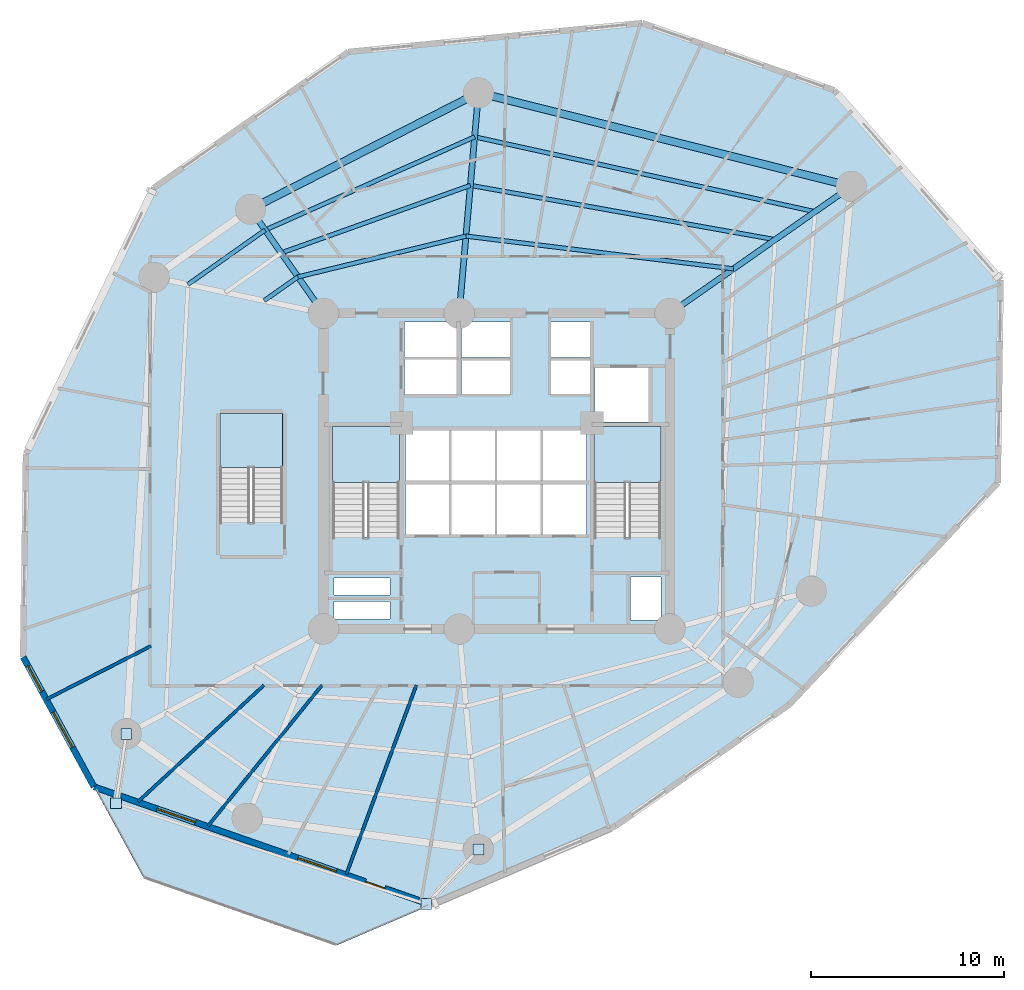
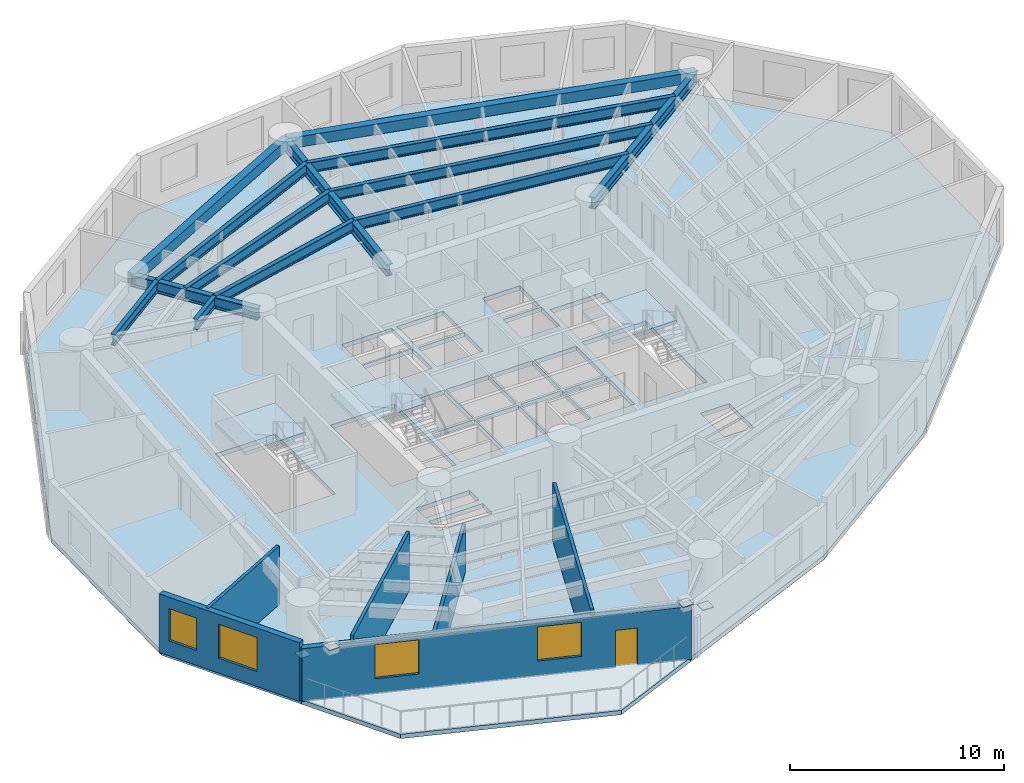
# One storey, part 2 of 11: 13 beams, 6 walls, 5 slabs, 4 plates, 4 windows, 1 door, 5 openings, 3 elements without a shape of their own.
"""IFC4 building model written with IfcOpenShell, lengths in metres."""

from ifc_helpers import new_model, si_unit, direction, frame, frame_2d, origin, origin_with_axes, origin_2d, place, context, subcontext, project, spatial, polyline, rectangle, i_section, outline, extrude, source, transform, mapped, material, layer, layer_set, material_profile, profile_set, type_object, element, fill, aggregate, save


model = new_model("IFC4")

# Units and contexts
model_context = context("Model", 3, precision=1e-05, world=origin(), true_north=direction((0.0, 1.0)))
body_context = subcontext(model_context, "Body", "Model", "MODEL_VIEW")
ifc_project = project(units=[si_unit("LENGTHUNIT", "METRE"), si_unit("AREAUNIT", "SQUARE_METRE"), si_unit("VOLUMEUNIT", "CUBIC_METRE"), si_unit("PLANEANGLEUNIT", "RADIAN"), si_unit("MASSUNIT", "GRAM", prefix="KILO")], contexts=[model_context])

# Site, building, storey
site_placement = place(None, origin())
site = spatial("IfcSite", under=ifc_project, at=site_placement, CompositionType="ELEMENT")
building_placement = place(site_placement, origin())
building = spatial("IfcBuilding", under=site, at=building_placement, Name="Karkom Vertical University and Central Library", CompositionType="ELEMENT")
storey_placement = place(building_placement, frame((0.0, 0.0, 44.5)))
storey = spatial("IfcBuildingStorey", under=building, at=storey_placement, Name="L11", CompositionType="ELEMENT", Elevation=44.5)

# Beams
ifc_material_1 = material(Name="Steel S355", Category="steel")
ifc_material_profile_1 = material_profile(ifc_material_1, i_section(OverallWidth=0.300048828125, OverallDepth=0.64990234375, WebThickness=0.01611328125, FlangeThickness=0.031005859375, FilletRadius=0.027099609375, at=origin_2d()), Name="HE 650 B")
ifc_profile_set_1 = profile_set([ifc_material_profile_1], Name="Steel S355")
beam_type_1 = type_object("IfcBeamType", Name="STR-BM-SB-HE650", PredefinedType="USERDEFINED", material=ifc_profile_set_1)
shared_shape_1 = source(origin_with_axes(), body_context, "Body", "SweptSolid", [
    extrude(i_section(OverallWidth=0.300048828125, OverallDepth=0.64990234375, WebThickness=0.01611328125, FlangeThickness=0.031005859375, FilletRadius=0.027099609375, at=origin_2d()), origin(), (0.0, 0.0, 1.0), 11.49951171875),
])
beam_1_placement = place(storey_placement, frame((37.5, 34.699951171875, 3.02490234375), z_axis=(0.81915012564, 0.573579176457, 0.0), x_axis=(-0.573579176457, 0.81915012564, 0.0)))
element("IfcBeam", 1, at=beam_1_placement, inside=storey, type_object=beam_type_1, Name="Level 11 Radial Frame Girder 02", ObjectType="GIRDER", PredefinedType="USERDEFINED", context=body_context, shape_type="MappedRepresentation", body=[
    mapped(shared_shape_1, transform((0.0, 0.0, 0.0), scale=1.0)),
])
shared_shape_2 = source(origin_with_axes(), body_context, "Body", "SweptSolid", [
    extrude(i_section(OverallWidth=0.300048828125, OverallDepth=0.64990234375, WebThickness=0.01611328125, FlangeThickness=0.031005859375, FilletRadius=0.027099609375, at=origin_2d()), origin(), (0.0, 0.0, 1.0), 11.499755859375),
])
beam_2_placement = place(storey_placement, frame((26.550048828125, 34.699951171875, 3.02490234375), z_axis=(0.087127973109, 0.99619712723, 0.0), x_axis=(-0.99619712723, 0.087127973109, 0.0)))
element("IfcBeam", 2, at=beam_2_placement, inside=storey, type_object=beam_type_1, Name="Level 11 Radial Frame Girder 03", ObjectType="GIRDER", PredefinedType="USERDEFINED", context=body_context, shape_type="MappedRepresentation", body=[
    mapped(shared_shape_2, transform((0.0, 0.0, 0.0), scale=1.0)),
])
shared_shape_3 = source(origin_with_axes(), body_context, "Body", "SweptSolid", [
    extrude(i_section(OverallWidth=0.300048828125, OverallDepth=0.64990234375, WebThickness=0.01611328125, FlangeThickness=0.031005859375, FilletRadius=0.027099609375, at=origin_2d()), origin(), (0.0, 0.0, 1.0), 6.599853515625),
])
beam_3_placement = place(storey_placement, frame((19.5, 34.699951171875, 3.02490234375), z_axis=(-0.573633636671, 0.819111989218, 0.0), x_axis=(-0.819111989218, -0.573633636671, 0.0)))
element("IfcBeam", 3, at=beam_3_placement, inside=storey, type_object=beam_type_1, Name="Level 11 Radial Frame Girder 04", ObjectType="GIRDER", PredefinedType="USERDEFINED", context=body_context, shape_type="MappedRepresentation", body=[
    mapped(shared_shape_3, transform((0.0, 0.0, 0.0), scale=1.0)),
])
ifc_material_2 = material(Name="Precast concrete C45/55", Category="concrete")
ifc_material_profile_2 = material_profile(ifc_material_2, rectangle(XDim=0.39990234375, YDim=0.60009765625, at=origin_2d()), Name="SPB-400x600")
ifc_profile_set_2 = profile_set([ifc_material_profile_2], Name="Precast concrete C45/55")
beam_type_2 = type_object("IfcBeamType", Name="STR-BM-SP-1", PredefinedType="SPANDREL", material=ifc_profile_set_2)
shared_shape_4 = source(origin_with_axes(), body_context, "Body", "SweptSolid", [
    extrude(rectangle(XDim=0.39990234375, YDim=0.60009765625, at=origin_2d()), origin(), (0.0, 0.0, 1.0), 19.968505859375),
])
beam_4_placement = place(storey_placement, frame((46.919921875, 41.2958984375, 3.050048828125), z_axis=(-0.969928522391, 0.243389937039, 0.0), x_axis=(-0.243389937039, -0.969928522391, 0.0)))
element("IfcBeam", 4, at=beam_4_placement, inside=storey, type_object=beam_type_2, Name="Level 11 Perimeter Spandrel Beam 02", PredefinedType="SPANDREL", context=body_context, shape_type="MappedRepresentation", body=[
    mapped(shared_shape_4, transform((0.0, 0.0, 0.0), scale=1.0)),
])
shared_shape_5 = source(origin_with_axes(), body_context, "Body", "SweptSolid", [
    extrude(rectangle(XDim=0.39990234375, YDim=0.60009765625, at=origin_2d()), origin(), (0.0, 0.0, 1.0), 13.29443359375),
])
beam_5_placement = place(storey_placement, frame((27.552001953125, 46.156005859375, 3.050048828125), z_axis=(-0.890447746793, -0.455085497716, 0.0), x_axis=(0.455085497716, -0.890447746793, 0.0)))
element("IfcBeam", 5, at=beam_5_placement, inside=storey, type_object=beam_type_2, Name="Level 11 Perimeter Spandrel Beam 03", PredefinedType="SPANDREL", context=body_context, shape_type="MappedRepresentation", body=[
    mapped(shared_shape_5, transform((0.0, 0.0, 0.0), scale=1.0)),
])
ifc_material_profile_3 = material_profile(ifc_material_1, i_section(OverallWidth=0.219970703125, OverallDepth=0.60009765625, WebThickness=0.011962890625, FlangeThickness=0.01904296875, FilletRadius=0.02392578125, at=origin_2d()), Name="IPE 600")
ifc_profile_set_3 = profile_set([ifc_material_profile_3], Name="Steel S355")
beam_type_3 = type_object("IfcBeamType", Name="STR-BM-SB-IPE600", PredefinedType="BEAM", material=ifc_profile_set_3)
shared_shape_6 = source(origin_with_axes(), body_context, "Body", "SweptSolid", [
    extrude(i_section(OverallWidth=0.219970703125, OverallDepth=0.60009765625, WebThickness=0.011962890625, FlangeThickness=0.01904296875, FilletRadius=0.02392578125, at=origin_2d()), origin(), (0.0, 0.0, 1.0), 14.000244140625),
])
beam_6_placement = place(storey_placement, frame((40.797119140625, 37.008544921875, 3.050048828125), z_axis=(-0.992590166403, 0.121510335198, 0.0), x_axis=(-0.121510335198, -0.992590166403, 0.0)))
element("IfcBeam", 6, at=beam_6_placement, inside=storey, type_object=beam_type_3, Name="Level 11 Secondary Composite Floor Beam 1.02", PredefinedType="BEAM", context=body_context, shape_type="MappedRepresentation", body=[
    mapped(shared_shape_6, transform((0.0, 0.0, 0.0), scale=1.0)),
])
shared_shape_7 = source(origin_with_axes(), body_context, "Body", "SweptSolid", [
    extrude(i_section(OverallWidth=0.219970703125, OverallDepth=0.60009765625, WebThickness=0.011962890625, FlangeThickness=0.01904296875, FilletRadius=0.02392578125, at=origin_2d()), origin(), (0.0, 0.0, 1.0), 8.97900390625),
])
beam_7_placement = place(storey_placement, frame((26.900634765625, 38.709716796875, 3.050048828125), z_axis=(-0.971790837509, -0.235844372697, 0.0), x_axis=(0.235844372697, -0.971790837509, 0.0)))
element("IfcBeam", 7, at=beam_7_placement, inside=storey, type_object=beam_type_3, Name="Level 11 Secondary Composite Floor Beam 1.03", PredefinedType="BEAM", context=body_context, shape_type="MappedRepresentation", body=[
    mapped(shared_shape_7, transform((0.0, 0.0, 0.0), scale=1.0)),
])
shared_shape_8 = source(origin_with_axes(), body_context, "Body", "SweptSolid", [
    extrude(i_section(OverallWidth=0.219970703125, OverallDepth=0.60009765625, WebThickness=0.011962890625, FlangeThickness=0.01904296875, FilletRadius=0.02392578125, at=origin_2d()), origin(), (0.0, 0.0, 1.0), 2.14794921875),
])
beam_8_placement = place(storey_placement, frame((18.1748046875, 36.592041015625, 3.050048828125), z_axis=(-0.817433780971, -0.576022580918, 0.0), x_axis=(0.576022580918, -0.817433780971, 0.0)))
element("IfcBeam", 8, at=beam_8_placement, inside=storey, type_object=beam_type_3, Name="Level 11 Secondary Composite Floor Beam 1.04", PredefinedType="BEAM", context=body_context, shape_type="MappedRepresentation", body=[
    mapped(shared_shape_8, transform((0.0, 0.0, 0.0), scale=1.0)),
])
shared_shape_9 = source(origin_with_axes(), body_context, "Body", "SweptSolid", [
    extrude(i_section(OverallWidth=0.219970703125, OverallDepth=0.60009765625, WebThickness=0.011962890625, FlangeThickness=0.01904296875, FilletRadius=0.02392578125, at=origin_2d()), origin(), (0.0, 0.0, 1.0), 16.08154296875),
])
beam_9_placement = place(storey_placement, frame((42.963623046875, 38.525634765625, 3.050048828125), z_axis=(-0.984517708807, 0.175285142111, 0.0), x_axis=(-0.175285142111, -0.984517708807, 0.0)))
element("IfcBeam", 9, at=beam_9_placement, inside=storey, type_object=beam_type_3, Name="Level 11 Secondary Composite Floor Beam 2.02", PredefinedType="BEAM", context=body_context, shape_type="MappedRepresentation", body=[
    mapped(shared_shape_9, transform((0.0, 0.0, 0.0), scale=1.0)),
])
shared_shape_10 = source(origin_with_axes(), body_context, "Body", "SweptSolid", [
    extrude(i_section(OverallWidth=0.219970703125, OverallDepth=0.60009765625, WebThickness=0.011962890625, FlangeThickness=0.01904296875, FilletRadius=0.02392578125, at=origin_2d()), origin(), (0.0, 0.0, 1.0), 10.4345703125),
])
beam_10_placement = place(storey_placement, frame((27.131103515625, 41.344482421875, 3.050048828125), z_axis=(-0.941759378798, -0.336287484819, 0.0), x_axis=(0.336287484819, -0.941759378798, 0.0)))
element("IfcBeam", 10, at=beam_10_placement, inside=storey, type_object=beam_type_3, Name="Level 11 Secondary Composite Floor Beam 2.03", PredefinedType="BEAM", context=body_context, shape_type="MappedRepresentation", body=[
    mapped(shared_shape_10, transform((0.0, 0.0, 0.0), scale=1.0)),
])
shared_shape_11 = source(origin_with_axes(), body_context, "Body", "SweptSolid", [
    extrude(i_section(OverallWidth=0.219970703125, OverallDepth=0.60009765625, WebThickness=0.011962890625, FlangeThickness=0.01904296875, FilletRadius=0.02392578125, at=origin_2d()), origin(), (0.0, 0.0, 1.0), 18.106689453125),
])
beam_11_placement = place(storey_placement, frame((45.035888671875, 39.976806640625, 3.050048828125), z_axis=(-0.976674731786, 0.214724167926, 0.0), x_axis=(-0.214724167926, -0.976674731786, 0.0)))
element("IfcBeam", 11, at=beam_11_placement, inside=storey, type_object=beam_type_3, Name="Level 11 Secondary Composite Floor Beam 3.02", PredefinedType="BEAM", context=body_context, shape_type="MappedRepresentation", body=[
    mapped(shared_shape_11, transform((0.0, 0.0, 0.0), scale=1.0)),
])
shared_shape_12 = source(origin_with_axes(), body_context, "Body", "SweptSolid", [
    extrude(i_section(OverallWidth=0.219970703125, OverallDepth=0.60009765625, WebThickness=0.011962890625, FlangeThickness=0.01904296875, FilletRadius=0.02392578125, at=origin_2d()), origin(), (0.0, 0.0, 1.0), 11.908203125),
])
beam_12_placement = place(storey_placement, frame((27.3515625, 43.86474609375, 3.050048828125), z_axis=(-0.913682996781, -0.406427584441, 0.0), x_axis=(0.406427584441, -0.913682996781, 0.0)))
element("IfcBeam", 12, at=beam_12_placement, inside=storey, type_object=beam_type_3, Name="Level 11 Secondary Composite Floor Beam 3.03", PredefinedType="BEAM", context=body_context, shape_type="MappedRepresentation", body=[
    mapped(shared_shape_12, transform((0.0, 0.0, 0.0), scale=1.0)),
])
shared_shape_13 = source(origin_with_axes(), body_context, "Body", "SweptSolid", [
    extrude(i_section(OverallWidth=0.219970703125, OverallDepth=0.60009765625, WebThickness=0.011962890625, FlangeThickness=0.01904296875, FilletRadius=0.02392578125, at=origin_2d()), origin(), (0.0, 0.0, 1.0), 4.909912109375),
])
beam_13_placement = place(storey_placement, frame((16.47119140625, 39.02490234375, 3.050048828125), z_axis=(-0.817452635759, -0.575995823153, 0.0), x_axis=(0.575995823153, -0.817452635759, 0.0)))
element("IfcBeam", 13, at=beam_13_placement, inside=storey, type_object=beam_type_3, Name="Level 11 Secondary Composite Floor Beam 3.04", PredefinedType="BEAM", context=body_context, shape_type="MappedRepresentation", body=[
    mapped(shared_shape_13, transform((0.0, 0.0, 0.0), scale=1.0)),
])

# Stair, slab
ifc_material_3 = material(Name="Concrete C45/55", Category="concrete")
stair_type_1 = type_object("IfcStairType", Name="INT-STR-ST-MAIN", PredefinedType="HALF_TURN_STAIR", material=ifc_material_3)
stair_1_placement = place(storey_placement, origin())
stair_1 = element("IfcStair", 14, at=stair_1_placement, inside=storey, type_object=stair_type_1, Name="Level 11 Tower Protected Exit Stair ST-1", PredefinedType="HALF_TURN_STAIR")
ifc_layer_1 = layer(ifc_material_3, 0.199951171875)
ifc_layer_set_1 = layer_set([ifc_layer_1], Name="Concrete C45/55")
slab_type_1 = type_object("IfcSlabType", Name="INT-SLB-LANDING", PredefinedType="LANDING", material=ifc_layer_set_1)
slab_1_placement = place(storey_placement, frame((0.0, 0.0, 1.60009765625)))
slab_1 = element("IfcSlab", 15, at=slab_1_placement, type_object=slab_type_1, Name="ST-1 landing 1", PredefinedType="LANDING", context=body_context, shape_type="SweptSolid", body=[
    extrude(outline(polyline([(23.43994140625, 25.919921875), (23.43994140625, 28.820068359375), (19.97998046875, 28.820068359375), (19.97998046875, 25.919921875), (23.43994140625, 25.919921875)])), origin(), (0.0, 0.0, 1.0), 0.199951171875),
])
aggregate(stair_1, [slab_1])

stair_2_placement = place(storey_placement, origin())
stair_2 = element("IfcStair", 16, at=stair_2_placement, inside=storey, type_object=stair_type_1, Name="Level 11 Tower Protected Exit Stair ST-2", PredefinedType="HALF_TURN_STAIR")
slab_2_placement = place(storey_placement, frame((0.0, 0.0, 1.60009765625)))
slab_2 = element("IfcSlab", 17, at=slab_2_placement, type_object=slab_type_1, Name="ST-2 landing 1", PredefinedType="LANDING", context=body_context, shape_type="SweptSolid", body=[
    extrude(outline(polyline([(37.02001953125, 25.919921875), (37.02001953125, 28.820068359375), (33.56005859375, 28.820068359375), (33.56005859375, 25.919921875), (37.02001953125, 25.919921875)])), origin(), (0.0, 0.0, 1.0), 0.199951171875),
])
aggregate(stair_2, [slab_2])

stair_type_2 = type_object("IfcStairType", Name="INT-STR-ST-SEC", PredefinedType="HALF_TURN_STAIR", material=ifc_material_3)
stair_3_placement = place(storey_placement, origin())
stair_3 = element("IfcStair", 18, at=stair_3_placement, inside=storey, type_object=stair_type_2, Name="Level 11 Academic Zone Protected Exit Stair ST-3", PredefinedType="HALF_TURN_STAIR")
slab_3_placement = place(storey_placement, frame((0.0, 0.0, 1.60009765625)))
slab_3 = element("IfcSlab", 19, at=slab_3_placement, type_object=slab_type_1, Name="ST-3 landing 1", PredefinedType="LANDING", context=body_context, shape_type="SweptSolid", body=[
    extrude(outline(polyline([(17.3798828125, 26.699951171875), (17.3798828125, 29.5), (14.1201171875, 29.5), (14.1201171875, 26.699951171875), (17.3798828125, 26.699951171875)])), origin(), (0.0, 0.0, 1.0), 0.199951171875),
])
aggregate(stair_3, [slab_3])

# Slabs
ifc_layer_2 = layer(ifc_material_3, 0.25)
ifc_layer_set_2 = layer_set([ifc_layer_2], Name="Concrete C45/55")
slab_type_2 = type_object("IfcSlabType", Name="STR-SLB-FLR-250", PredefinedType="FLOOR", material=ifc_layer_set_2)
slab_4_placement = place(storey_placement, frame((0.0, 0.0, -0.25)))
element("IfcSlab", 20, at=slab_4_placement, inside=storey, type_object=slab_type_2, Name="Level 11 Tower Structural Floor Slab", PredefinedType="FLOOR", context=body_context, shape_type="SweptSolid", body=[
    extrude(outline(polyline([(10.693603515625, 41.21875), (4.0458984375, 27.39697265625), (3.896728515625, 16.837890625), (7.57666015625, 10.103759765625), (25.10400390625, 3.975830078125), (34.676025390625, 8.0693359375), (43.68994140625, 14.37158203125), (54.524169921875, 25.894775390625), (54.673095703125, 36.43115234375), (46.021728515625, 46.290283203125), (36.053466796875, 49.775390625), (20.789306640625, 48.277587890625), (10.693603515625, 41.21875)]), holes=[polyline([(19.97998046875, 23.0849609375), (23.43994140625, 23.0849609375), (23.43994140625, 28.820068359375), (19.97998046875, 28.820068359375), (19.97998046875, 23.0849609375)]), polyline([(33.56005859375, 23.0849609375), (37.02001953125, 23.0849609375), (37.02001953125, 28.820068359375), (33.56005859375, 28.820068359375), (33.56005859375, 23.0849609375)]), polyline([(14.1201171875, 23.864990234375), (17.3798828125, 23.864990234375), (17.3798828125, 29.5), (14.1201171875, 29.5), (14.1201171875, 23.864990234375)]), polyline([(23.75, 23.199951171875), (26.030029296875, 23.199951171875), (26.030029296875, 25.85009765625), (23.75, 25.85009765625), (23.75, 23.199951171875)]), polyline([(26.1298828125, 23.199951171875), (28.409912109375, 23.199951171875), (28.409912109375, 25.85009765625), (26.1298828125, 25.85009765625), (26.1298828125, 23.199951171875)]), polyline([(28.510009765625, 23.199951171875), (30.7900390625, 23.199951171875), (30.7900390625, 25.85009765625), (28.510009765625, 25.85009765625), (28.510009765625, 23.199951171875)]), polyline([(30.889892578125, 23.199951171875), (33.169921875, 23.199951171875), (33.169921875, 25.85009765625), (30.889892578125, 25.85009765625), (30.889892578125, 23.199951171875)]), polyline([(23.75, 26.0), (26.030029296875, 26.0), (26.030029296875, 28.64990234375), (23.75, 28.64990234375), (23.75, 26.0)]), polyline([(26.1298828125, 26.0), (28.409912109375, 26.0), (28.409912109375, 28.64990234375), (26.1298828125, 28.64990234375), (26.1298828125, 26.0)]), polyline([(28.510009765625, 26.0), (30.7900390625, 26.0), (30.7900390625, 28.64990234375), (28.510009765625, 28.64990234375), (28.510009765625, 26.0)]), polyline([(30.889892578125, 26.0), (33.169921875, 26.0), (33.169921875, 28.64990234375), (30.889892578125, 28.64990234375), (30.889892578125, 26.0)]), polyline([(26.679931640625, 30.5), (29.199951171875, 30.5), (29.199951171875, 32.25), (26.679931640625, 32.25), (26.679931640625, 30.5)]), polyline([(26.679931640625, 32.39990234375), (29.199951171875, 32.39990234375), (29.199951171875, 34.25), (26.679931640625, 34.25), (26.679931640625, 32.39990234375)]), polyline([(31.300048828125, 30.5), (33.35009765625, 30.5), (33.35009765625, 32.25), (31.300048828125, 32.25), (31.300048828125, 30.5)]), polyline([(31.300048828125, 32.39990234375), (33.35009765625, 32.39990234375), (33.35009765625, 34.25), (31.300048828125, 34.25), (31.300048828125, 32.39990234375)]), polyline([(23.719970703125, 30.47998046875), (26.429931640625, 30.47998046875), (26.429931640625, 32.320068359375), (23.719970703125, 32.320068359375), (23.719970703125, 30.47998046875)]), polyline([(23.719970703125, 32.419921875), (26.429931640625, 32.419921875), (26.429931640625, 34.260009765625), (23.719970703125, 34.260009765625), (23.719970703125, 32.419921875)]), polyline([(33.60009765625, 29.050048828125), (36.39990234375, 29.050048828125), (36.39990234375, 31.85009765625), (33.60009765625, 31.85009765625), (33.60009765625, 29.050048828125)]), polyline([(20.050048828125, 18.820068359375), (22.949951171875, 18.820068359375), (22.949951171875, 19.719970703125), (20.050048828125, 19.719970703125), (20.050048828125, 18.820068359375)]), polyline([(20.050048828125, 20.06005859375), (22.949951171875, 20.06005859375), (22.949951171875, 20.9599609375), (20.050048828125, 20.9599609375), (20.050048828125, 20.06005859375)]), polyline([(35.4599609375, 18.760009765625), (37.0400390625, 18.760009765625), (37.0400390625, 21.010009765625), (35.4599609375, 21.010009765625), (35.4599609375, 18.760009765625)])]), origin(), (0.0, 0.0, 1.0), 0.25),
])
ifc_layer_3 = layer(ifc_material_3, 0.199951171875)
ifc_layer_set_3 = layer_set([ifc_layer_3], Name="Concrete C45/55")
slab_type_3 = type_object("IfcSlabType", Name="STR-SLB-PLN-260", PredefinedType="USERDEFINED", material=ifc_layer_set_3)
slab_5_placement = place(storey_placement, frame((0.0, 0.0, -0.25)))
element("IfcSlab", 21, at=slab_5_placement, inside=storey, type_object=slab_type_3, Name="Level 11 Spiral Sky Garden Planter Terrace", ObjectType="PLANTER", PredefinedType="USERDEFINED", context=body_context, shape_type="SweptSolid", body=[
    extrude(outline(polyline([(20.133544921875, 1.85009765625), (10.186279296875, 5.32763671875), (7.5908203125, 10.077392578125), (25.076904296875, 3.964111328125), (20.133544921875, 1.85009765625)])), origin(), (0.0, 0.0, 1.0), 0.25),
])

# Plates
ifc_layer_4 = layer(ifc_material_1, 0.028076171875)
ifc_layer_set_4 = layer_set([ifc_layer_4], Name="Steel S355")
plate_type = type_object("IfcPlateType", Name="STR-PLT-GP-2", PredefinedType="USERDEFINED", material=ifc_layer_set_4)
shared_shape_14 = source(origin_with_axes(), body_context, "Body", "SweptSolid", [
    extrude(rectangle(XDim=0.56005859375, YDim=0.56005859375, at=origin_2d()), origin(), (0.0, 0.0, 1.0), 0.028076171875),
])
for number, where, z_axis, x_axis, name in (
    (22, (9.258056640625, 12.85400390625, 0.3359375), (0.0, 0.0, 1.0), (1.0, 0.0, 0.0), "Level 11 Node Gusset Cap Plate L11-SKG-KNEE-1 A"),
    (23, (8.720703125, 9.253662109375, 3.1708984375), (0.0, 0.0, 1.0), (1.0, 0.0, 0.0), "Level 11 Node Gusset Cap Plate L11-SKG-KNEE-1 B"),
    (24, (27.552001953125, 6.843994140625, 0.3359375), (0.0, 0.0, 1.0), (1.0, 0.0, 0.0), "Level 11 Node Gusset Cap Plate L11-SKG-KNEE-2 A"),
    (25, (24.83935546875, 4.015625, 3.1708984375), (0.0, 0.0, 1.0), (1.0, 0.0, 0.0), "Level 11 Node Gusset Cap Plate L11-SKG-KNEE-2 B"),
):
    element("IfcPlate", number, at=place(storey_placement, frame(where, z_axis=z_axis, x_axis=x_axis)), inside=storey, type_object=plate_type, Name=name, ObjectType="GUSSET PLATE", PredefinedType="USERDEFINED", context=body_context, shape_type="MappedRepresentation", body=[
        mapped(shared_shape_14, transform((0.0, 0.0, 0.0), scale=1.0)),
    ])

# Wall, openings, windows
ifc_material_4 = material(Name="Brick-faced precast concrete C45/55", Category="masonry")
ifc_layer_5 = layer(ifc_material_4, 0.320068359375)
ifc_layer_set_5 = layer_set([ifc_layer_5], Name="Brick-faced precast concrete C45/55")
wall_type_1 = type_object("IfcWallType", Name="ENV-WL-BRK-320", PredefinedType="SOLIDWALL", material=ifc_layer_set_5)
wall_1_placement = place(storey_placement, frame((3.896728515625, 16.837890625, 0.0), z_axis=(0.0, 0.0, 1.0), x_axis=(0.479531833204, -0.877524484527, 0.0)))
wall_1 = element("IfcWall", 26, at=wall_1_placement, inside=storey, type_object=wall_type_1, Name="Level 11 Brick-Faced Precast Facade Wall 03", PredefinedType="SOLIDWALL", context=body_context, shape_type="SweptSolid", body=[
    extrude(rectangle(XDim=7.674072265625, YDim=0.320068359375, at=frame_2d((3.8369140625, 0.0))), origin(), (0.0, 0.0, 1.0), 3.35009765625),
])
opening_1_placement = place(wall_1_placement, frame((0.53173828125, 0.0, 0.85009765625)))
opening_1 = element("IfcOpeningElement", 27, at=opening_1_placement, cuts=wall_1, Name="Opening WN-05", PredefinedType="OPENING", context=body_context, shape_type="SweptSolid", body=[
    extrude(rectangle(XDim=1.5, YDim=1.85009765625, at=frame_2d((0.75, 0.925048828125))), frame((0.0, 0.169921875, 0.0), z_axis=(0.0, -1.0, 0.0), x_axis=(1.0, 0.0, 0.0)), (0.0, 0.0, 1.0), 0.340087890625),
])
opening_2_placement = place(wall_1_placement, frame((3.24560546875, 0.0, 0.85009765625)))
opening_2 = element("IfcOpeningElement", 28, at=opening_2_placement, cuts=wall_1, Name="Opening WN-03", PredefinedType="OPENING", context=body_context, shape_type="SweptSolid", body=[
    extrude(rectangle(XDim=2.10009765625, YDim=1.949951171875, at=frame_2d((1.050048828125, 0.97509765625))), frame((0.0, 0.169921875, 0.0), z_axis=(0.0, -1.0, 0.0), x_axis=(1.0, 0.0, 0.0)), (0.0, 0.0, 1.0), 0.340087890625),
])
ifc_material_5 = material(Name="Aluminium thermal-break frame with solar-control IGU", Category="aluminium")
window_type_1 = type_object("IfcWindowType", Name="ENV-WIN-WN-03", PartitioningType="SINGLE_PANEL", PredefinedType="WINDOW", material=ifc_material_5)
shared_shape_15 = source(origin_with_axes(), body_context, "Body", "SweptSolid", [
    extrude(rectangle(XDim=2.10009765625, YDim=1.949951171875, at=frame_2d((1.050048828125, 0.97509765625))), frame((0.0, 0.030029296875, 0.0), z_axis=(0.0, -1.0, 0.0), x_axis=(1.0, 0.0, 0.0)), (0.0, 0.0, 1.0), 0.06005859375),
])
window_1_placement = place(opening_2_placement, origin())
window_1 = element("IfcWindow", 29, at=window_1_placement, inside=storey, type_object=window_type_1, Name="Level 11 Punched Window 3.2", OverallHeight=1.949951171875, OverallWidth=2.10009765625, PartitioningType="SINGLE_PANEL", PredefinedType="WINDOW", context=body_context, shape_type="MappedRepresentation", body=[
    mapped(shared_shape_15, transform((0.0, 0.0, 0.0), scale=1.0)),
])
fill(opening_2, window_1)
window_type_2 = type_object("IfcWindowType", Name="ENV-WIN-WN-05", PartitioningType="SINGLE_PANEL", PredefinedType="WINDOW", material=ifc_material_5)
shared_shape_16 = source(origin_with_axes(), body_context, "Body", "SweptSolid", [
    extrude(rectangle(XDim=1.5, YDim=1.85009765625, at=frame_2d((0.75, 0.925048828125))), frame((0.0, 0.030029296875, 0.0), z_axis=(0.0, -1.0, 0.0), x_axis=(1.0, 0.0, 0.0)), (0.0, 0.0, 1.0), 0.06005859375),
])
window_2_placement = place(opening_1_placement, origin())
window_2 = element("IfcWindow", 30, at=window_2_placement, inside=storey, type_object=window_type_2, Name="Level 11 Punched Window 3.1", OverallHeight=1.85009765625, OverallWidth=1.5, PartitioningType="SINGLE_PANEL", PredefinedType="WINDOW", context=body_context, shape_type="MappedRepresentation", body=[
    mapped(shared_shape_16, transform((0.0, 0.0, 0.0), scale=1.0)),
])
fill(opening_1, window_2)

# Wall, openings, door, windows
wall_2_placement = place(storey_placement, frame((7.57666015625, 10.103759765625, 0.0), z_axis=(0.0, 0.0, 1.0), x_axis=(0.943969817427, -0.330031792086, 0.0)))
wall_2 = element("IfcWall", 31, at=wall_2_placement, inside=storey, type_object=wall_type_1, Name="Level 11 Brick-Faced Precast Facade Wall 04", PredefinedType="SOLIDWALL", context=body_context, shape_type="SweptSolid", body=[
    extrude(rectangle(XDim=18.567626953125, YDim=0.320068359375, at=frame_2d((9.28369140625, 0.0))), origin(), (0.0, 0.0, 1.0), 3.02001953125),
])
opening_3_placement = place(wall_2_placement, frame((3.4814453125, 0.0, 0.85009765625)))
opening_3 = element("IfcOpeningElement", 32, at=opening_3_placement, cuts=wall_2, Name="Opening WN-03", PredefinedType="OPENING", context=body_context, shape_type="SweptSolid", body=[
    extrude(rectangle(XDim=2.10009765625, YDim=1.949951171875, at=frame_2d((1.050048828125, 0.97509765625))), frame((0.0, 0.169921875, 0.0), z_axis=(0.0, -1.0, 0.0), x_axis=(1.0, 0.0, 0.0)), (0.0, 0.0, 1.0), 0.340087890625),
])
opening_4_placement = place(wall_2_placement, frame((11.23193359375, 0.0, 0.85009765625)))
opening_4 = element("IfcOpeningElement", 33, at=opening_4_placement, cuts=wall_2, Name="Opening WN-03", PredefinedType="OPENING", context=body_context, shape_type="SweptSolid", body=[
    extrude(rectangle(XDim=2.10009765625, YDim=1.949951171875, at=frame_2d((1.050048828125, 0.97509765625))), frame((0.0, 0.169921875, 0.0), z_axis=(0.0, -1.0, 0.0), x_axis=(1.0, 0.0, 0.0)), (0.0, 0.0, 1.0), 0.340087890625),
])
opening_5_placement = place(wall_2_placement, frame((14.9482421875, 0.0, 0.0)))
opening_5 = element("IfcOpeningElement", 34, at=opening_5_placement, cuts=wall_2, Name="Opening TD-1", PredefinedType="OPENING", context=body_context, shape_type="SweptSolid", body=[
    extrude(rectangle(XDim=1.050048828125, YDim=2.1201171875, at=frame_2d((0.52490234375, 1.06005859375))), frame((0.0, 0.169921875, 0.0), z_axis=(0.0, -1.0, 0.0), x_axis=(1.0, 0.0, 0.0)), (0.0, 0.0, 1.0), 0.340087890625),
])
ifc_material_6 = material(Name="Thermally broken glazed aluminium terrace door", Category="aluminium")
door_type = type_object("IfcDoorType", Name="ENV-DR-TERR", OperationType="NOTDEFINED", PredefinedType="DOOR", material=ifc_material_6)
shared_shape_17 = source(origin_with_axes(), body_context, "Body", "SweptSolid", [
    extrude(rectangle(XDim=1.050048828125, YDim=2.1201171875, at=frame_2d((0.52490234375, 1.06005859375))), frame((0.0, 0.02490234375, 0.0), z_axis=(0.0, -1.0, 0.0), x_axis=(1.0, 0.0, 0.0)), (0.0, 0.0, 1.0), 0.050048828125),
])
door_placement = place(opening_5_placement, origin())
door = element("IfcDoor", 35, at=door_placement, inside=storey, type_object=door_type, Name="Level 11 Outdoor Terrace Access Door", OperationType="SINGLE_SWING_LEFT", OverallHeight=2.1201171875, OverallWidth=1.050048828125, PredefinedType="DOOR", context=body_context, shape_type="MappedRepresentation", body=[
    mapped(shared_shape_17, transform((0.0, 0.0, 0.0), scale=1.0)),
])
fill(opening_5, door)
window_3_placement = place(opening_3_placement, origin())
window_3 = element("IfcWindow", 36, at=window_3_placement, inside=storey, type_object=window_type_1, Name="Level 11 Punched Window 4.1", OverallHeight=1.949951171875, OverallWidth=2.10009765625, PartitioningType="SINGLE_PANEL", PredefinedType="WINDOW", context=body_context, shape_type="MappedRepresentation", body=[
    mapped(shared_shape_15, transform((0.0, 0.0, 0.0), scale=1.0)),
])
fill(opening_3, window_3)
window_4_placement = place(opening_4_placement, origin())
window_4 = element("IfcWindow", 37, at=window_4_placement, inside=storey, type_object=window_type_1, Name="Level 11 Punched Window 4.2", OverallHeight=1.949951171875, OverallWidth=2.10009765625, PartitioningType="SINGLE_PANEL", PredefinedType="WINDOW", context=body_context, shape_type="MappedRepresentation", body=[
    mapped(shared_shape_15, transform((0.0, 0.0, 0.0), scale=1.0)),
])
fill(opening_4, window_4)

# Walls
ifc_material_7 = material(Name="Insulated metal-stud drywall 160mm", Category="gypsum")
ifc_layer_6 = layer(ifc_material_7, 0.159912109375)
ifc_layer_set_6 = layer_set([ifc_layer_6], Name="Insulated metal-stud drywall 160mm")
wall_type_2 = type_object("IfcWallType", Name="INT-WL-COR-160", PredefinedType="PARTITIONING", material=ifc_layer_set_6)
wall_3_placement = place(storey_placement, frame((24.325439453125, 15.39208984375, 0.0), z_axis=(0.0, 0.0, 1.0), x_axis=(-0.347054504225, -0.937844961119, 0.0)))
element("IfcWall", 38, at=wall_3_placement, inside=storey, type_object=wall_type_2, Name="Level 11 Interior Partition Wall L11-PW-007", PredefinedType="PARTITIONING", context=body_context, shape_type="SweptSolid", body=[
    extrude(rectangle(XDim=10.496337890625, YDim=0.159912109375, at=frame_2d((5.248046875, 0.0))), origin(), (0.0, 0.0, 1.0), 3.35009765625),
])
wall_4_placement = place(storey_placement, frame((19.423095703125, 15.385009765625, 0.0), z_axis=(0.0, 0.0, 1.0), x_axis=(-0.629280245268, -0.777178469153, 0.0)))
element("IfcWall", 39, at=wall_4_placement, inside=storey, type_object=wall_type_2, Name="Level 11 Interior Partition Wall L11-PW-005", PredefinedType="PARTITIONING", context=body_context, shape_type="SweptSolid", body=[
    extrude(rectangle(XDim=9.419189453125, YDim=0.159912109375, at=frame_2d((4.70947265625, 0.0))), origin(), (0.0, 0.0, 1.0), 2.699951171875),
])
wall_5_placement = place(storey_placement, frame((16.40380859375, 15.380615234375, 0.0), z_axis=(0.0, 0.0, 1.0), x_axis=(-0.733733824599, -0.679437027722, 0.0)))
element("IfcWall", 40, at=wall_5_placement, inside=storey, type_object=wall_type_2, Name="Level 11 Interior Partition Wall L11-PW-004", PredefinedType="PARTITIONING", context=body_context, shape_type="SweptSolid", body=[
    extrude(rectangle(XDim=8.8984375, YDim=0.159912109375, at=frame_2d((4.44921875, 0.0))), origin(), (0.0, 0.0, 1.0), 3.35009765625),
])
wall_6_placement = place(storey_placement, frame((10.5400390625, 17.416259765625, 0.0), z_axis=(0.0, 0.0, 1.0), x_axis=(-0.890998767968, -0.454005721857, 0.0)))
element("IfcWall", 41, at=wall_6_placement, inside=storey, type_object=wall_type_2, Name="Level 11 Interior Partition Wall L11-PW-003", PredefinedType="PARTITIONING", context=body_context, shape_type="SweptSolid", body=[
    extrude(rectangle(XDim=6.084716796875, YDim=0.159912109375, at=frame_2d((3.04248046875, 0.0))), origin(), (0.0, 0.0, 1.0), 3.35009765625),
])

save(model, "model.ifc")
